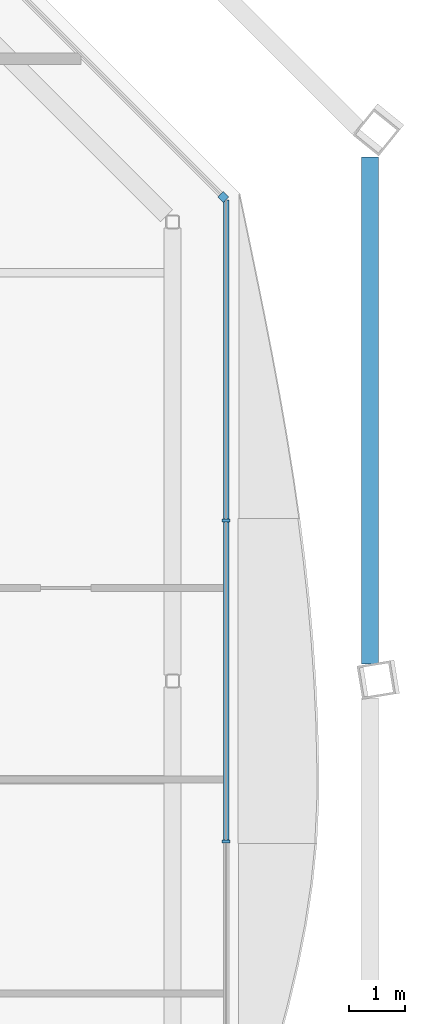
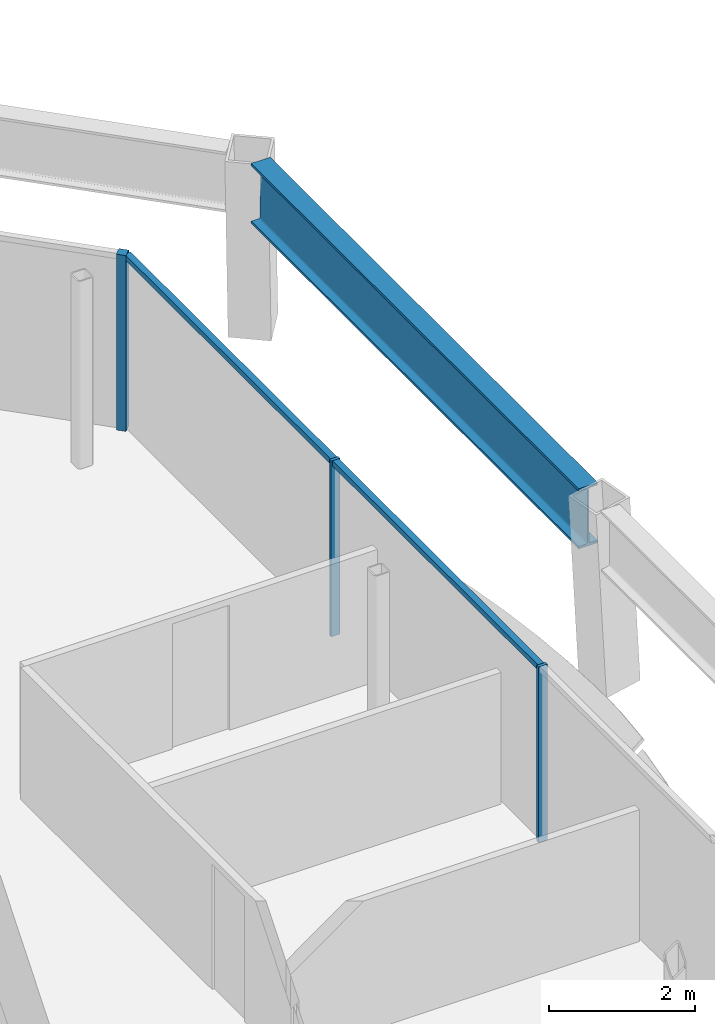
# One storey, part 7 of 14: 5 members, 1 beam, 2 elements without a shape of their own.
"""IFC4 building model written with IfcOpenShell, lengths in metres."""

from ifc_helpers import new_model, si_unit, direction, frame, origin, origin_2d, place, context, subcontext, project, spatial, rectangle, i_section, extrude, material, material_profile, profile_set, type_object, element, aggregate, save


model = new_model("IFC4")

# Units and contexts
model_context = context("Model", 3, precision=1e-05, world=origin(), true_north=direction((0.0, 1.0)))
body_context = subcontext(model_context, "Body", "Model", "MODEL_VIEW")
ifc_project = project(units=[si_unit("LENGTHUNIT", "METRE"), si_unit("AREAUNIT", "SQUARE_METRE"), si_unit("VOLUMEUNIT", "CUBIC_METRE"), si_unit("PLANEANGLEUNIT", "RADIAN"), si_unit("MASSUNIT", "GRAM", prefix="KILO")], contexts=[model_context])

# Site, building, storey
site_placement = place(None, origin())
site = spatial("IfcSite", under=ifc_project, at=site_placement, CompositionType="ELEMENT")
building_placement = place(site_placement, origin())
building = spatial("IfcBuilding", under=site, at=building_placement, Name="Tskaro Facet Tower", CompositionType="ELEMENT")
storey_placement = place(building_placement, frame((0.0, 0.0, 294.14990234375)))
storey = spatial("IfcBuildingStorey", under=building, at=storey_placement, Name="L79", CompositionType="ELEMENT", Elevation=294.14990234375)

# Curtain wall, member
ifc_material_1 = material(Name="Bronze anodised aluminium 6063-T6", Category="aluminium")
curtain_wall_type = type_object("IfcCurtainWallType", Name="Bronze residence curtain wall (FW3)", PredefinedType="NOTDEFINED", material=ifc_material_1)
curtain_wall_1_placement = place(storey_placement, origin())
curtain_wall_1 = element("IfcCurtainWall", 1, at=curtain_wall_1_placement, inside=storey, type_object=curtain_wall_type, Name="FW3 north-east facet L79", PredefinedType="NOTDEFINED")
ifc_material_profile_1 = material_profile(ifc_material_1, rectangle(XDim=0.139892578125, YDim=0.139892578125, at=origin_2d()), Name="Corner post 140x140")
ifc_profile_set_1 = profile_set([ifc_material_profile_1], Name="Bronze anodised aluminium 6063-T6")
member_type_1 = type_object("IfcMemberType", Name="FW3 bronze corner post 140x140", PredefinedType="MULLION", material=ifc_profile_set_1)
member_1_placement = place(storey_placement, frame((18.1005859375, 5.845458984375, 0.0), z_axis=(0.0, 0.0, 1.0), x_axis=(-0.707106781187, 0.707106781187, 0.0)))
member_1 = element("IfcMember", 2, at=member_1_placement, type_object=member_type_1, Name="FW3 north-east corner post", PredefinedType="MULLION", context=body_context, shape_type="SweptSolid", body=[
    extrude(rectangle(XDim=0.139892578125, YDim=0.139892578125, at=origin_2d()), origin(), (0.0, 0.0, 1.0), 2.9501953125),
])
aggregate(curtain_wall_1, [member_1])

# Curtain wall, members
curtain_wall_2_placement = place(storey_placement, origin())
curtain_wall_2 = element("IfcCurtainWall", 3, at=curtain_wall_2_placement, inside=storey, type_object=curtain_wall_type, Name="FW3 east facet L79", PredefinedType="NOTDEFINED")
ifc_material_profile_2 = material_profile(ifc_material_1, rectangle(XDim=0.050048828125, YDim=0.139892578125, at=origin_2d()), Name="Mullion 50x140")
ifc_profile_set_2 = profile_set([ifc_material_profile_2], Name="Bronze anodised aluminium 6063-T6")
member_type_2 = type_object("IfcMemberType", Name="FW3 bronze mullion 50x140", PredefinedType="MULLION", material=ifc_profile_set_2)
member_2_placement = place(storey_placement, frame((18.14990234375, -5.5986328125, 0.0), z_axis=(0.0, 0.0, 1.0), x_axis=(0.0, 1.0, 0.0)))
member_2 = element("IfcMember", 4, at=member_2_placement, type_object=member_type_2, Name="FW3 east mullion 1", PredefinedType="MULLION", context=body_context, shape_type="SweptSolid", body=[
    extrude(rectangle(XDim=0.050048828125, YDim=0.139892578125, at=origin_2d()), origin(), (0.0, 0.0, 1.0), 2.9501953125),
])
member_3_placement = place(storey_placement, frame((18.14990234375, 0.0986328125, 0.0), z_axis=(0.0, 0.0, 1.0), x_axis=(0.0, 1.0, 0.0)))
member_3 = element("IfcMember", 5, at=member_3_placement, type_object=member_type_2, Name="FW3 east mullion 2", PredefinedType="MULLION", context=body_context, shape_type="SweptSolid", body=[
    extrude(rectangle(XDim=0.050048828125, YDim=0.139892578125, at=origin_2d()), origin(), (0.0, 0.0, 1.0), 2.9501953125),
])
ifc_material_profile_3 = material_profile(ifc_material_1, rectangle(XDim=0.10009765625, YDim=0.090087890625, at=origin_2d()), Name="Transom 100x90")
ifc_profile_set_3 = profile_set([ifc_material_profile_3], Name="Bronze anodised aluminium 6063-T6")
member_type_3 = type_object("IfcMemberType", Name="FW3 bronze transom 100x90", PredefinedType="USERDEFINED", material=ifc_profile_set_3)
member_4_placement = place(storey_placement, frame((18.14990234375, -5.57373046875, 2.905029296875), z_axis=(0.0, 1.0, 0.0), x_axis=(-1.0, 0.0, 0.0)))
member_4 = element("IfcMember", 6, at=member_4_placement, type_object=member_type_3, Name="FW3 east transom 2.1", ObjectType="TRANSOM", PredefinedType="USERDEFINED", context=body_context, shape_type="SweptSolid", body=[
    extrude(rectangle(XDim=0.10009765625, YDim=0.090087890625, at=origin_2d()), origin(), (0.0, 0.0, 1.0), 5.6474609375),
])
member_5_placement = place(storey_placement, frame((18.14990234375, 0.123779296875, 2.905029296875), z_axis=(0.0, 1.0, 0.0), x_axis=(-1.0, 0.0, 0.0)))
member_5 = element("IfcMember", 7, at=member_5_placement, type_object=member_type_3, Name="FW3 east transom 3.1", ObjectType="TRANSOM", PredefinedType="USERDEFINED", context=body_context, shape_type="SweptSolid", body=[
    extrude(rectangle(XDim=0.10009765625, YDim=0.090087890625, at=origin_2d()), origin(), (0.0, 0.0, 1.0), 5.672119140625),
])
aggregate(curtain_wall_2, [member_2, member_3, member_4, member_5])

# Beam
ifc_material_2 = material(Name="Steel S355J2", Category="steel")
ifc_material_profile_4 = material_profile(ifc_material_2, i_section(OverallWidth=0.302001953125, OverallDepth=1.008056640625, WebThickness=0.02099609375, FlangeThickness=0.0400390625, FilletRadius=0.030029296875, at=origin_2d()), Name="HE 1000 M")
ifc_profile_set_4 = profile_set([ifc_material_profile_4], Name="Steel S355J2")
beam_type = type_object("IfcBeamType", Name="HE 1000 M crown ring beam", PredefinedType="BEAM", material=ifc_profile_set_4)
beam_placement = place(storey_placement, frame((20.701904296875, -2.449951171875, 2.64599609375), z_axis=(0.0, 1.0, 0.0), x_axis=(-1.0, 0.0, 0.0)))
element("IfcBeam", 8, at=beam_placement, inside=storey, type_object=beam_type, Name="HE 1000 M CR05-6", PredefinedType="BEAM", context=body_context, shape_type="SweptSolid", body=[
    extrude(i_section(OverallWidth=0.302001953125, OverallDepth=1.008056640625, WebThickness=0.02099609375, FlangeThickness=0.0400390625, FilletRadius=0.030029296875, at=origin_2d()), origin(), (0.0, 0.0, 1.0), 9.00390625),
])

save(model, "model.ifc")
